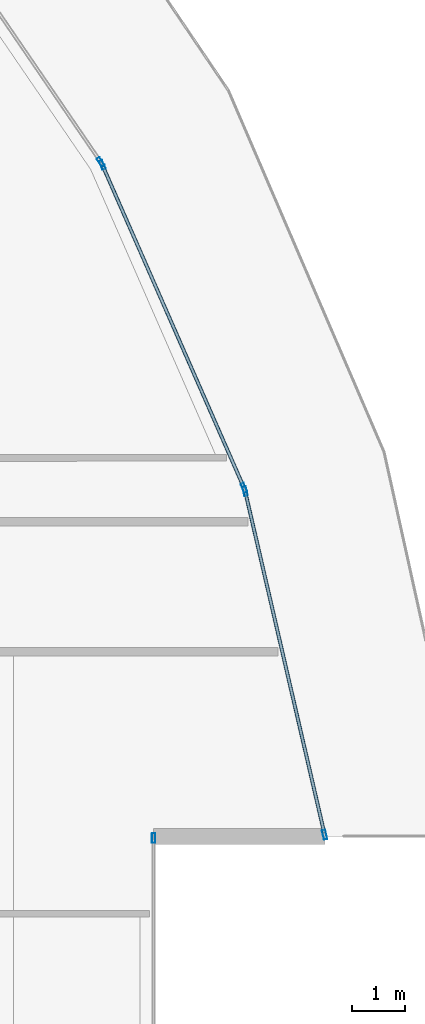
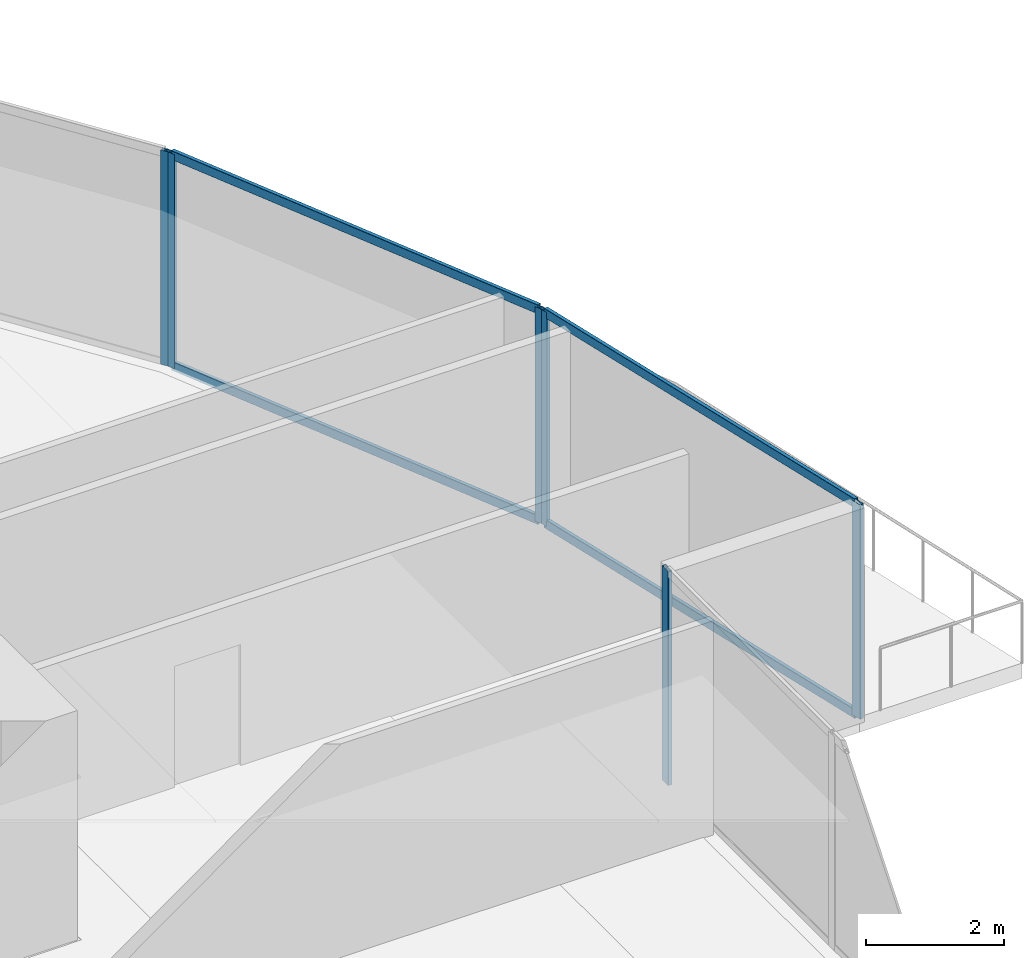
# One storey, part 20 of 39: 10 members, 4 elements without a shape of their own.
"""IFC4 building model written with IfcOpenShell, lengths in metres."""

from ifc_helpers import new_model, si_unit, direction, frame, origin, origin_2d, place, context, subcontext, project, spatial, hollow_rectangle, extrude, material, layer, layer_set, material_profile, profile_set, type_object, element, aggregate, save


model = new_model("IFC4")

# Units and contexts
model_context = context("Model", 3, precision=1e-05, world=origin(), true_north=direction((0.0, 1.0)))
body_context = subcontext(model_context, "Body", "Model", "MODEL_VIEW")
ifc_project = project(units=[si_unit("LENGTHUNIT", "METRE"), si_unit("AREAUNIT", "SQUARE_METRE"), si_unit("VOLUMEUNIT", "CUBIC_METRE"), si_unit("PLANEANGLEUNIT", "RADIAN"), si_unit("MASSUNIT", "GRAM", prefix="KILO")], contexts=[model_context])

# Site, building, storey
site_placement = place(None, origin())
site = spatial("IfcSite", under=ifc_project, at=site_placement, CompositionType="ELEMENT")
building_placement = place(site_placement, origin())
building = spatial("IfcBuilding", under=site, at=building_placement, Name="Qorvath Tower", CompositionType="ELEMENT")
storey_placement = place(building_placement, frame((0.0, 0.0, 142.199951171875)))
storey = spatial("IfcBuildingStorey", under=building, at=storey_placement, Name="L32", CompositionType="ELEMENT", Elevation=142.199951171875)

# Curtain wall, member
ifc_material_1 = material(Name="Anodised aluminium and triple low-E glass", Category="aluminium")
ifc_layer = layer(ifc_material_1, 0.179931640625)
ifc_layer_set = layer_set([ifc_layer], Name="CW-SYS-3")
curtain_wall_type = type_object("IfcCurtainWallType", Name="CW-SYS-3", PredefinedType="NOTDEFINED", material=ifc_layer_set)
curtain_wall_1_placement = place(storey_placement, origin())
curtain_wall_1 = element("IfcCurtainWall", 1, at=curtain_wall_1_placement, inside=storey, type_object=curtain_wall_type, Name="Curtain Wall CW-3 CW-T-L32-9.1", PredefinedType="NOTDEFINED")
ifc_material_2 = material(Name="Anodised aluminium 6063-T6", Category="aluminium")
ifc_material_profile_1 = material_profile(ifc_material_2, hollow_rectangle(XDim=0.06494140625, YDim=0.179931640625, WallThickness=0.00341796875, InnerFilletRadius=0.00341796875, OuterFilletRadius=0.007080078125, at=origin_2d()), Name="CWM 180x65")
ifc_profile_set_1 = profile_set([ifc_material_profile_1], Name="Anodised aluminium 6063-T6")
member_type_1 = type_object("IfcMemberType", Name="CWM-180", PredefinedType="MULLION", material=ifc_profile_set_1)
member_1_placement = place(storey_placement, frame((0.6015625, 4.805908203125, 0.0), z_axis=(0.0, 0.0, 1.0), x_axis=(-1.0, 0.0, 0.0)))
member_1 = element("IfcMember", 2, at=member_1_placement, type_object=member_type_1, Name="CW-3 mullion 3", PredefinedType="MULLION", context=body_context, shape_type="SweptSolid", body=[
    extrude(hollow_rectangle(XDim=0.06494140625, YDim=0.179931640625, WallThickness=0.00341796875, InnerFilletRadius=0.00341796875, OuterFilletRadius=0.007080078125, at=origin_2d()), origin(), (0.0, 0.0, 1.0), 3.780029296875),
])
aggregate(curtain_wall_1, [member_1])

# Curtain wall, members
curtain_wall_2_placement = place(storey_placement, origin())
curtain_wall_2 = element("IfcCurtainWall", 3, at=curtain_wall_2_placement, inside=storey, type_object=curtain_wall_type, Name="Curtain Wall CW-3 CW-T-L32-11.1", PredefinedType="NOTDEFINED")
member_2_placement = place(storey_placement, frame((3.81982421875, 4.8701171875, 0.0), z_axis=(0.0, 0.0, 1.0), x_axis=(-0.974237086813, -0.225526270485, 0.0)))
member_2 = element("IfcMember", 4, at=member_2_placement, type_object=member_type_1, Name="CW-3 mullion 1", PredefinedType="MULLION", context=body_context, shape_type="SweptSolid", body=[
    extrude(hollow_rectangle(XDim=0.06494140625, YDim=0.179931640625, WallThickness=0.00341796875, InnerFilletRadius=0.00341796875, OuterFilletRadius=0.007080078125, at=origin_2d()), origin(), (0.0, 0.0, 1.0), 3.780029296875),
])
member_3_placement = place(storey_placement, frame((2.32275390625, 11.337158203125, 0.0), z_axis=(0.0, 0.0, 1.0), x_axis=(-0.974237086813, -0.225526270485, 0.0)))
member_3 = element("IfcMember", 5, at=member_3_placement, type_object=member_type_1, Name="CW-3 mullion 2", PredefinedType="MULLION", context=body_context, shape_type="SweptSolid", body=[
    extrude(hollow_rectangle(XDim=0.06494140625, YDim=0.179931640625, WallThickness=0.00341796875, InnerFilletRadius=0.00341796875, OuterFilletRadius=0.007080078125, at=origin_2d()), origin(), (0.0, 0.0, 1.0), 3.780029296875),
])

curtain_wall_3_placement = place(storey_placement, origin())
curtain_wall_3 = element("IfcCurtainWall", 6, at=curtain_wall_3_placement, inside=storey, type_object=curtain_wall_type, Name="Curtain Wall CW-3 CW-T-L32-12.1", PredefinedType="NOTDEFINED")
member_4_placement = place(storey_placement, frame((2.30224609375, 11.3984375, 0.0), z_axis=(0.0, 0.0, 1.0), x_axis=(-0.915703754985, -0.401853994762, 0.0)))
member_4 = element("IfcMember", 7, at=member_4_placement, type_object=member_type_1, Name="CW-3 mullion 1", PredefinedType="MULLION", context=body_context, shape_type="SweptSolid", body=[
    extrude(hollow_rectangle(XDim=0.06494140625, YDim=0.179931640625, WallThickness=0.00341796875, InnerFilletRadius=0.00341796875, OuterFilletRadius=0.007080078125, at=origin_2d()), origin(), (0.0, 0.0, 1.0), 3.780029296875),
])
member_5_placement = place(storey_placement, frame((-0.365234375, 17.476806640625, 0.0), z_axis=(0.0, 0.0, 1.0), x_axis=(-0.915703754985, -0.401853994762, 0.0)))
member_5 = element("IfcMember", 8, at=member_5_placement, type_object=member_type_1, Name="CW-3 mullion 2", PredefinedType="MULLION", context=body_context, shape_type="SweptSolid", body=[
    extrude(hollow_rectangle(XDim=0.06494140625, YDim=0.179931640625, WallThickness=0.00341796875, InnerFilletRadius=0.00341796875, OuterFilletRadius=0.007080078125, at=origin_2d()), origin(), (0.0, 0.0, 1.0), 3.780029296875),
])

# Curtain wall, member
curtain_wall_4_placement = place(storey_placement, origin())
curtain_wall_4 = element("IfcCurtainWall", 9, at=curtain_wall_4_placement, inside=storey, type_object=curtain_wall_type, Name="Curtain Wall CW-3 CW-T-L32-13.1", PredefinedType="NOTDEFINED")
member_6_placement = place(storey_placement, frame((-0.396484375, 17.533447265625, 0.0), z_axis=(0.0, 0.0, 1.0), x_axis=(-0.825610125251, -0.564241013294, 0.0)))
member_6 = element("IfcMember", 10, at=member_6_placement, type_object=member_type_1, Name="CW-3 mullion 1", PredefinedType="MULLION", context=body_context, shape_type="SweptSolid", body=[
    extrude(hollow_rectangle(XDim=0.06494140625, YDim=0.179931640625, WallThickness=0.00341796875, InnerFilletRadius=0.00341796875, OuterFilletRadius=0.007080078125, at=origin_2d()), origin(), (0.0, 0.0, 1.0), 3.780029296875),
])
aggregate(curtain_wall_4, [member_6])

# Member
ifc_material_3 = material(Name="Anodised aluminium 6063-T6", Category="aluminium")
ifc_material_profile_2 = material_profile(ifc_material_3, hollow_rectangle(XDim=0.06494140625, YDim=0.159912109375, WallThickness=0.00341796875, InnerFilletRadius=0.00341796875, OuterFilletRadius=0.007080078125, at=origin_2d()), Name="CWT 160x65")
ifc_profile_set_2 = profile_set([ifc_material_profile_2], Name="Anodised aluminium 6063-T6")
member_type_2 = type_object("IfcMemberType", Name="CWT-160", PredefinedType="USERDEFINED", material=ifc_profile_set_2)
member_7_placement = place(storey_placement, frame((3.8125, 4.901611328125, 0.032470703125), z_axis=(-0.225526759575, 0.974236973593, 0.0), x_axis=(-0.974236973593, -0.225526759575, 0.0)))
member_7 = element("IfcMember", 11, at=member_7_placement, type_object=member_type_2, Name="CW-3 transom 1.1", ObjectType="TRANSOM", PredefinedType="USERDEFINED", context=body_context, shape_type="SweptSolid", body=[
    extrude(hollow_rectangle(XDim=0.06494140625, YDim=0.159912109375, WallThickness=0.00341796875, InnerFilletRadius=0.00341796875, OuterFilletRadius=0.007080078125, at=origin_2d()), origin(), (0.0, 0.0, 1.0), 6.5732421875),
])

member_8_placement = place(storey_placement, frame((3.8125, 4.901611328125, 3.74755859375), z_axis=(-0.225526759575, 0.974236973593, 0.0), x_axis=(-0.974236973593, -0.225526759575, 0.0)))
member_8 = element("IfcMember", 12, at=member_8_placement, type_object=member_type_2, Name="CW-3 transom 1.2", ObjectType="TRANSOM", PredefinedType="USERDEFINED", context=body_context, shape_type="SweptSolid", body=[
    extrude(hollow_rectangle(XDim=0.06494140625, YDim=0.159912109375, WallThickness=0.00341796875, InnerFilletRadius=0.00341796875, OuterFilletRadius=0.007080078125, at=origin_2d()), origin(), (0.0, 0.0, 1.0), 6.5732421875),
])

aggregate(curtain_wall_2, [member_2, member_3, member_7, member_8])

member_9_placement = place(storey_placement, frame((2.289306640625, 11.42822265625, 0.032470703125), z_axis=(-0.401857137261, 0.915702375902, 0.0), x_axis=(-0.915702375902, -0.401857137261, 0.0)))
member_9 = element("IfcMember", 13, at=member_9_placement, type_object=member_type_2, Name="CW-3 transom 1.1", ObjectType="TRANSOM", PredefinedType="USERDEFINED", context=body_context, shape_type="SweptSolid", body=[
    extrude(hollow_rectangle(XDim=0.06494140625, YDim=0.159912109375, WallThickness=0.00341796875, InnerFilletRadius=0.00341796875, OuterFilletRadius=0.007080078125, at=origin_2d()), origin(), (0.0, 0.0, 1.0), 6.572998046875),
])

member_10_placement = place(storey_placement, frame((2.289306640625, 11.42822265625, 3.74755859375), z_axis=(-0.401857137261, 0.915702375902, 0.0), x_axis=(-0.915702375902, -0.401857137261, 0.0)))
member_10 = element("IfcMember", 14, at=member_10_placement, type_object=member_type_2, Name="CW-3 transom 1.2", ObjectType="TRANSOM", PredefinedType="USERDEFINED", context=body_context, shape_type="SweptSolid", body=[
    extrude(hollow_rectangle(XDim=0.06494140625, YDim=0.159912109375, WallThickness=0.00341796875, InnerFilletRadius=0.00341796875, OuterFilletRadius=0.007080078125, at=origin_2d()), origin(), (0.0, 0.0, 1.0), 6.572998046875),
])

aggregate(curtain_wall_3, [member_4, member_5, member_9, member_10])

save(model, "model.ifc")
